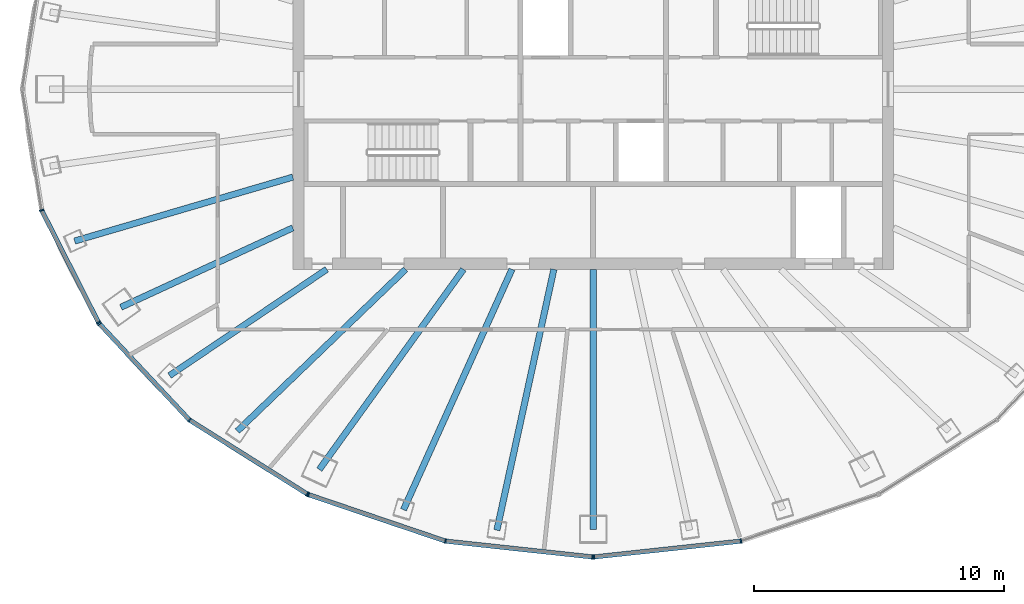
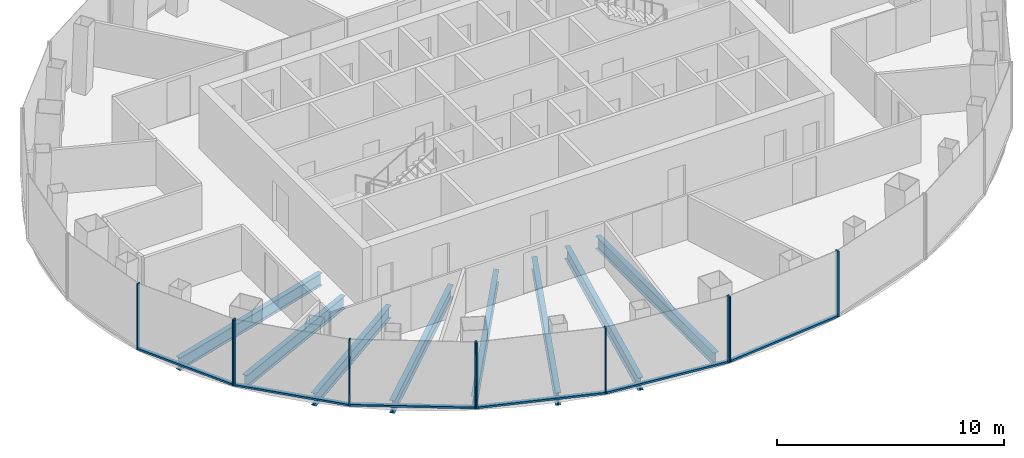
# One storey, part 2 of 11: 16 members, 8 beams, 4 elements without a shape of their own.
"""IFC4 building model written with IfcOpenShell, lengths in metres."""

from ifc_helpers import new_model, si_unit, direction, frame, origin, origin_2d, place, context, subcontext, project, spatial, rectangle, i_section, extrude, material, layer, layer_set, material_profile, profile_set, type_object, element, aggregate, save


model = new_model("IFC4")

# Units and contexts
model_context = context("Model", 3, precision=1e-05, world=origin(), true_north=direction((0.0, 1.0)))
body_context = subcontext(model_context, "Body", "Model", "MODEL_VIEW")
ifc_project = project(units=[si_unit("LENGTHUNIT", "METRE"), si_unit("AREAUNIT", "SQUARE_METRE"), si_unit("VOLUMEUNIT", "CUBIC_METRE"), si_unit("PLANEANGLEUNIT", "RADIAN"), si_unit("MASSUNIT", "GRAM", prefix="KILO")], contexts=[model_context])

# Site, building, storey
site_placement = place(None, origin())
site = spatial("IfcSite", under=ifc_project, at=site_placement, CompositionType="ELEMENT")
building_placement = place(site_placement, origin())
building = spatial("IfcBuilding", under=site, at=building_placement, Name="Siaravel Broadcast Tower", CompositionType="ELEMENT")
storey_placement = place(building_placement, frame((0.0, 0.0, 194.10009765625)))
storey = spatial("IfcBuildingStorey", under=building, at=storey_placement, Name="L47", CompositionType="ELEMENT", Elevation=194.10009765625)

# Beams
ifc_material_1 = material(Name="Steel S355", Category="steel")
ifc_material_profile_1 = material_profile(ifc_material_1, i_section(OverallWidth=0.2529296875, OverallDepth=0.677978515625, WebThickness=0.01171875, FlangeThickness=0.01611328125, FilletRadius=0.01513671875, at=origin_2d()))
ifc_profile_set_1 = profile_set([ifc_material_profile_1], Name="Steel S355")
beam_type = type_object("IfcBeamType", Name="BM-UB 686x254x125", PredefinedType="BEAM", material=ifc_profile_set_1)
beam_1_placement = place(storey_placement, frame((-20.716796875, -6.069580078125, -0.489013671875), z_axis=(0.959657308, 0.28117228, 0.0), x_axis=(-0.28117228, 0.959657308, 0.0)))
element("IfcBeam", 1, at=beam_1_placement, inside=storey, type_object=beam_type, Name="Radial beam RB21", PredefinedType="BEAM", context=body_context, shape_type="SweptSolid", body=[
    extrude(i_section(OverallWidth=0.2529296875, OverallDepth=0.677978515625, WebThickness=0.01171875, FlangeThickness=0.01611328125, FilletRadius=0.01513671875, at=origin_2d()), origin(), (0.0, 0.0, 1.0), 9.083251953125),
])
beam_2_placement = place(storey_placement, frame((-18.8671875, -8.714111328125, -0.489013671875), z_axis=(0.907850719, 0.41929354, 0.0), x_axis=(-0.41929354, 0.907850719, 0.0)))
element("IfcBeam", 2, at=beam_2_placement, inside=storey, type_object=beam_type, Name="Radial beam RB22", PredefinedType="BEAM", context=body_context, shape_type="SweptSolid", body=[
    extrude(i_section(OverallWidth=0.2529296875, OverallDepth=0.677978515625, WebThickness=0.01171875, FlangeThickness=0.01611328125, FilletRadius=0.01513671875, at=origin_2d()), origin(), (0.0, 0.0, 1.0), 7.564208984375),
])
beam_3_placement = place(storey_placement, frame((-16.925537109375, -11.44482421875, -0.489013671875), z_axis=(0.828389379, 0.560152691, 0.0), x_axis=(-0.560152691, 0.828389379, 0.0)))
element("IfcBeam", 3, at=beam_3_placement, inside=storey, type_object=beam_type, Name="Radial beam RB23", PredefinedType="BEAM", context=body_context, shape_type="SweptSolid", body=[
    extrude(i_section(OverallWidth=0.2529296875, OverallDepth=0.677978515625, WebThickness=0.01171875, FlangeThickness=0.01611328125, FilletRadius=0.01513671875, at=origin_2d()), origin(), (0.0, 0.0, 1.0), 7.578125),
])
beam_4_placement = place(storey_placement, frame((-14.218017578125, -13.662353515625, -0.489013671875), z_axis=(0.72104932, 0.69288374, 0.0), x_axis=(-0.69288374, 0.72104932, 0.0)))
element("IfcBeam", 4, at=beam_4_placement, inside=storey, type_object=beam_type, Name="Radial beam RB24", PredefinedType="BEAM", context=body_context, shape_type="SweptSolid", body=[
    extrude(i_section(OverallWidth=0.2529296875, OverallDepth=0.677978515625, WebThickness=0.01171875, FlangeThickness=0.01611328125, FilletRadius=0.01513671875, at=origin_2d()), origin(), (0.0, 0.0, 1.0), 9.326904296875),
])
beam_5_placement = place(storey_placement, frame((-10.94189453125, -15.196533203125, -0.489013671875), z_axis=(0.584323001, 0.811521183, 0.0), x_axis=(-0.811521183, 0.584323001, 0.0)))
element("IfcBeam", 5, at=beam_5_placement, inside=storey, type_object=beam_type, Name="Radial beam RB25", PredefinedType="BEAM", context=body_context, shape_type="SweptSolid", body=[
    extrude(i_section(OverallWidth=0.2529296875, OverallDepth=0.677978515625, WebThickness=0.01171875, FlangeThickness=0.01611328125, FilletRadius=0.01513671875, at=origin_2d()), origin(), (0.0, 0.0, 1.0), 9.853759765625),
])
beam_6_placement = place(storey_placement, frame((-7.577880859375, -16.801513671875, -0.489013671875), z_axis=(0.411143254, 0.911570746, 0.0), x_axis=(-0.911570746, 0.411143254, 0.0)))
element("IfcBeam", 6, at=beam_6_placement, inside=storey, type_object=beam_type, Name="Radial beam RB26", PredefinedType="BEAM", context=body_context, shape_type="SweptSolid", body=[
    extrude(i_section(OverallWidth=0.2529296875, OverallDepth=0.677978515625, WebThickness=0.01171875, FlangeThickness=0.01611328125, FilletRadius=0.01513671875, at=origin_2d()), origin(), (0.0, 0.0, 1.0), 10.532958984375),
])
beam_7_placement = place(storey_placement, frame((-3.84912109375, -17.619873046875, -0.489013671875), z_axis=(0.21342927, 0.976958519, 0.0), x_axis=(-0.976958519, 0.21342927, 0.0)))
element("IfcBeam", 7, at=beam_7_placement, inside=storey, type_object=beam_type, Name="Radial beam RB27", PredefinedType="BEAM", context=body_context, shape_type="SweptSolid", body=[
    extrude(i_section(OverallWidth=0.2529296875, OverallDepth=0.677978515625, WebThickness=0.01171875, FlangeThickness=0.01611328125, FilletRadius=0.01513671875, at=origin_2d()), origin(), (0.0, 0.0, 1.0), 10.665771484375),
])
beam_8_placement = place(storey_placement, frame((0.0, -17.595703125, -0.489013671875), z_axis=(0.0, 1.0, 0.0), x_axis=(-1.0, 0.0, 0.0)))
element("IfcBeam", 8, at=beam_8_placement, inside=storey, type_object=beam_type, Name="Radial beam RB28", PredefinedType="BEAM", context=body_context, shape_type="SweptSolid", body=[
    extrude(i_section(OverallWidth=0.2529296875, OverallDepth=0.677978515625, WebThickness=0.01171875, FlangeThickness=0.01611328125, FilletRadius=0.01513671875, at=origin_2d()), origin(), (0.0, 0.0, 1.0), 10.395751953125),
])

# Curtain wall, members
ifc_material_2 = material(Name="Aluminium 6063-T6", Category="aluminium")
ifc_layer = layer(ifc_material_2, 0.179931640625)
ifc_layer_set = layer_set([ifc_layer], Name="Aluminium 6063-T6")
curtain_wall_type = type_object("IfcCurtainWallType", Name="Unitised curtain wall, zone 3", PredefinedType="NOTDEFINED", material=ifc_layer_set)
curtain_wall_1_placement = place(storey_placement, origin())
curtain_wall_1 = element("IfcCurtainWall", 9, at=curtain_wall_1_placement, inside=storey, type_object=curtain_wall_type, Name="L47 Unitised curtain wall, zone 3 07", PredefinedType="NOTDEFINED")
ifc_material_profile_2 = material_profile(ifc_material_2, rectangle(XDim=0.179931640625, YDim=0.06005859375, at=origin_2d()))
ifc_profile_set_2 = profile_set([ifc_material_profile_2], Name="Aluminium 6063-T6")
member_type_1 = type_object("IfcMemberType", Name="CW-Z3 mullion", PredefinedType="MULLION", material=ifc_profile_set_2)
member_1_placement = place(storey_placement, frame((-22.0322265625, -4.8408203125, 0.0), z_axis=(0.0, 0.0, 1.0), x_axis=(0.951177224, 0.308645247, 0.0)))
member_1 = element("IfcMember", 10, at=member_1_placement, type_object=member_type_1, Name="CW-Z3 mullion 2", PredefinedType="MULLION", context=body_context, shape_type="SweptSolid", body=[
    extrude(rectangle(XDim=0.179931640625, YDim=0.06005859375, at=origin_2d()), origin(), (0.0, 0.0, 1.0), 3.5498046875),
])
member_2_placement = place(storey_placement, frame((-19.765380859375, -9.323486328125, 0.0), z_axis=(0.0, 0.0, 1.0), x_axis=(0.892392092, 0.45126085, 0.0)))
member_2 = element("IfcMember", 11, at=member_2_placement, type_object=member_type_1, Name="CW-Z3 mullion 3", PredefinedType="MULLION", context=body_context, shape_type="SweptSolid", body=[
    extrude(rectangle(XDim=0.179931640625, YDim=0.06005859375, at=origin_2d()), origin(), (0.0, 0.0, 1.0), 3.5498046875),
])

curtain_wall_2_placement = place(storey_placement, origin())
curtain_wall_2 = element("IfcCurtainWall", 12, at=curtain_wall_2_placement, inside=storey, type_object=curtain_wall_type, Name="L47 Unitised curtain wall, zone 3 08", PredefinedType="NOTDEFINED")
member_3_placement = place(storey_placement, frame((-19.7314453125, -9.372314453125, 0.0), z_axis=(0.0, 0.0, 1.0), x_axis=(0.729805157, 0.6836552, 0.0)))
member_3 = element("IfcMember", 13, at=member_3_placement, type_object=member_type_1, Name="CW-Z3 mullion 1", PredefinedType="MULLION", context=body_context, shape_type="SweptSolid", body=[
    extrude(rectangle(XDim=0.179931640625, YDim=0.06005859375, at=origin_2d()), origin(), (0.0, 0.0, 1.0), 3.5498046875),
])
member_4_placement = place(storey_placement, frame((-16.12548828125, -13.221435546875, 0.0), z_axis=(0.0, 0.0, 1.0), x_axis=(0.636218507, 0.771508918, 0.0)))
member_4 = element("IfcMember", 14, at=member_4_placement, type_object=member_type_1, Name="CW-Z3 mullion 2", PredefinedType="MULLION", context=body_context, shape_type="SweptSolid", body=[
    extrude(rectangle(XDim=0.179931640625, YDim=0.06005859375, at=origin_2d()), origin(), (0.0, 0.0, 1.0), 3.5498046875),
])
member_5_placement = place(storey_placement, frame((-11.427001953125, -16.1748046875, 0.0), z_axis=(0.0, 0.0, 1.0), x_axis=(0.532149052, 0.846650687, 0.0)))
member_5 = element("IfcMember", 15, at=member_5_placement, type_object=member_type_1, Name="CW-Z3 mullion 3", PredefinedType="MULLION", context=body_context, shape_type="SweptSolid", body=[
    extrude(rectangle(XDim=0.179931640625, YDim=0.06005859375, at=origin_2d()), origin(), (0.0, 0.0, 1.0), 3.5498046875),
])

curtain_wall_3_placement = place(storey_placement, origin())
curtain_wall_3 = element("IfcCurtainWall", 16, at=curtain_wall_3_placement, inside=storey, type_object=curtain_wall_type, Name="L47 Unitised curtain wall, zone 3 09", PredefinedType="NOTDEFINED")
member_6_placement = place(storey_placement, frame((-11.373046875, -16.2001953125, 0.0), z_axis=(0.0, 0.0, 1.0), x_axis=(0.321300458, 0.946977305, 0.0)))
member_6 = element("IfcMember", 17, at=member_6_placement, type_object=member_type_1, Name="CW-Z3 mullion 1", PredefinedType="MULLION", context=body_context, shape_type="SweptSolid", body=[
    extrude(rectangle(XDim=0.179931640625, YDim=0.06005859375, at=origin_2d()), origin(), (0.0, 0.0, 1.0), 3.5498046875),
])
member_7_placement = place(storey_placement, frame((-5.901611328125, -18.056884765625, 0.0), z_axis=(0.0, 0.0, 1.0), x_axis=(0.21555795, 0.97649105, 0.0)))
member_7 = element("IfcMember", 18, at=member_7_placement, type_object=member_type_1, Name="CW-Z3 mullion 2", PredefinedType="MULLION", context=body_context, shape_type="SweptSolid", body=[
    extrude(rectangle(XDim=0.179931640625, YDim=0.06005859375, at=origin_2d()), origin(), (0.0, 0.0, 1.0), 3.5498046875),
])
member_8_placement = place(storey_placement, frame((-0.02978515625, -18.68994140625, 0.0), z_axis=(0.0, 0.0, 1.0), x_axis=(0.107217422, 0.994235598, 0.0)))
member_8 = element("IfcMember", 19, at=member_8_placement, type_object=member_type_1, Name="CW-Z3 mullion 3", PredefinedType="MULLION", context=body_context, shape_type="SweptSolid", body=[
    extrude(rectangle(XDim=0.179931640625, YDim=0.06005859375, at=origin_2d()), origin(), (0.0, 0.0, 1.0), 3.5498046875),
])

curtain_wall_4_placement = place(storey_placement, origin())
curtain_wall_4 = element("IfcCurtainWall", 20, at=curtain_wall_4_placement, inside=storey, type_object=curtain_wall_type, Name="L47 Unitised curtain wall, zone 3 10", PredefinedType="NOTDEFINED")
member_9_placement = place(storey_placement, frame((0.02978515625, -18.68994140625, 0.0), z_axis=(0.0, 0.0, 1.0), x_axis=(-0.107217422, 0.994235598, 0.0)))
member_9 = element("IfcMember", 21, at=member_9_placement, type_object=member_type_1, Name="CW-Z3 mullion 1", PredefinedType="MULLION", context=body_context, shape_type="SweptSolid", body=[
    extrude(rectangle(XDim=0.179931640625, YDim=0.06005859375, at=origin_2d()), origin(), (0.0, 0.0, 1.0), 3.5498046875),
])
member_10_placement = place(storey_placement, frame((5.901611328125, -18.056884765625, 0.0), z_axis=(0.0, 0.0, 1.0), x_axis=(-0.21555795, 0.97649105, 0.0)))
member_10 = element("IfcMember", 22, at=member_10_placement, type_object=member_type_1, Name="CW-Z3 mullion 2", PredefinedType="MULLION", context=body_context, shape_type="SweptSolid", body=[
    extrude(rectangle(XDim=0.179931640625, YDim=0.06005859375, at=origin_2d()), origin(), (0.0, 0.0, 1.0), 3.5498046875),
])

# Member
ifc_material_profile_3 = material_profile(ifc_material_2, rectangle(XDim=0.179931640625, YDim=0.10009765625, at=origin_2d()))
ifc_profile_set_3 = profile_set([ifc_material_profile_3], Name="Aluminium 6063-T6")
member_type_2 = type_object("IfcMemberType", Name="CW-Z3 transom", PredefinedType="USERDEFINED", material=ifc_profile_set_3)
member_11_placement = place(storey_placement, frame((-22.018798828125, -4.867431640625, 0.0498046875), z_axis=(0.45128156, -0.892381619, 0.0), x_axis=(0.892381619, 0.45128156, 0.0)))
member_11 = element("IfcMember", 23, at=member_11_placement, type_object=member_type_2, Name="CW-Z3 transom 2", ObjectType="TRANSOM", PredefinedType="USERDEFINED", context=body_context, shape_type="SweptSolid", body=[
    extrude(rectangle(XDim=0.179931640625, YDim=0.10009765625, at=origin_2d()), origin(), (0.0, 0.0, 1.0), 4.963623046875),
])

aggregate(curtain_wall_1, [member_1, member_2, member_11])

member_12_placement = place(storey_placement, frame((-19.710693359375, -9.394287109375, 0.0498046875), z_axis=(0.683645131, -0.72981459, 0.0), x_axis=(0.72981459, 0.683645131, 0.0)))
member_12 = element("IfcMember", 24, at=member_12_placement, type_object=member_type_2, Name="CW-Z3 transom 1", ObjectType="TRANSOM", PredefinedType="USERDEFINED", context=body_context, shape_type="SweptSolid", body=[
    extrude(rectangle(XDim=0.179931640625, YDim=0.10009765625, at=origin_2d()), origin(), (0.0, 0.0, 1.0), 5.2138671875),
])

member_13_placement = place(storey_placement, frame((-16.10009765625, -13.2373046875, 0.0498046875), z_axis=(0.846638839, -0.532167902, 0.0), x_axis=(0.532167902, 0.846638839, 0.0)))
member_13 = element("IfcMember", 25, at=member_13_placement, type_object=member_type_2, Name="CW-Z3 transom 2", ObjectType="TRANSOM", PredefinedType="USERDEFINED", context=body_context, shape_type="SweptSolid", body=[
    extrude(rectangle(XDim=0.179931640625, YDim=0.10009765625, at=origin_2d()), origin(), (0.0, 0.0, 1.0), 5.489501953125),
])

aggregate(curtain_wall_2, [member_3, member_4, member_5, member_12, member_13])

member_14_placement = place(storey_placement, frame((-11.3447265625, -16.2099609375, 0.0498046875), z_axis=(0.946978932, -0.321295661, 0.0), x_axis=(0.321295661, 0.946978932, 0.0)))
member_14 = element("IfcMember", 26, at=member_14_placement, type_object=member_type_2, Name="CW-Z3 transom 1", ObjectType="TRANSOM", PredefinedType="USERDEFINED", context=body_context, shape_type="SweptSolid", body=[
    extrude(rectangle(XDim=0.179931640625, YDim=0.10009765625, at=origin_2d()), origin(), (0.0, 0.0, 1.0), 5.718017578125),
])

member_15_placement = place(storey_placement, frame((-5.87158203125, -18.06005859375, 0.0498046875), z_axis=(0.994236081, -0.107212939, 0.0), x_axis=(0.107212939, 0.994236081, 0.0)))
member_15 = element("IfcMember", 27, at=member_15_placement, type_object=member_type_2, Name="CW-Z3 transom 2", ObjectType="TRANSOM", PredefinedType="USERDEFINED", context=body_context, shape_type="SweptSolid", body=[
    extrude(rectangle(XDim=0.179931640625, YDim=0.10009765625, at=origin_2d()), origin(), (0.0, 0.0, 1.0), 5.845458984375),
])

aggregate(curtain_wall_3, [member_6, member_7, member_8, member_14, member_15])

member_16_placement = place(storey_placement, frame((0.059814453125, -18.686767578125, 0.0498046875), z_axis=(0.994236081, 0.107212939, 0.0), x_axis=(-0.107212939, 0.994236081, 0.0)))
member_16 = element("IfcMember", 28, at=member_16_placement, type_object=member_type_2, Name="CW-Z3 transom 1", ObjectType="TRANSOM", PredefinedType="USERDEFINED", context=body_context, shape_type="SweptSolid", body=[
    extrude(rectangle(XDim=0.179931640625, YDim=0.10009765625, at=origin_2d()), origin(), (0.0, 0.0, 1.0), 5.845458984375),
])

aggregate(curtain_wall_4, [member_9, member_10, member_16])

save(model, "model.ifc")
